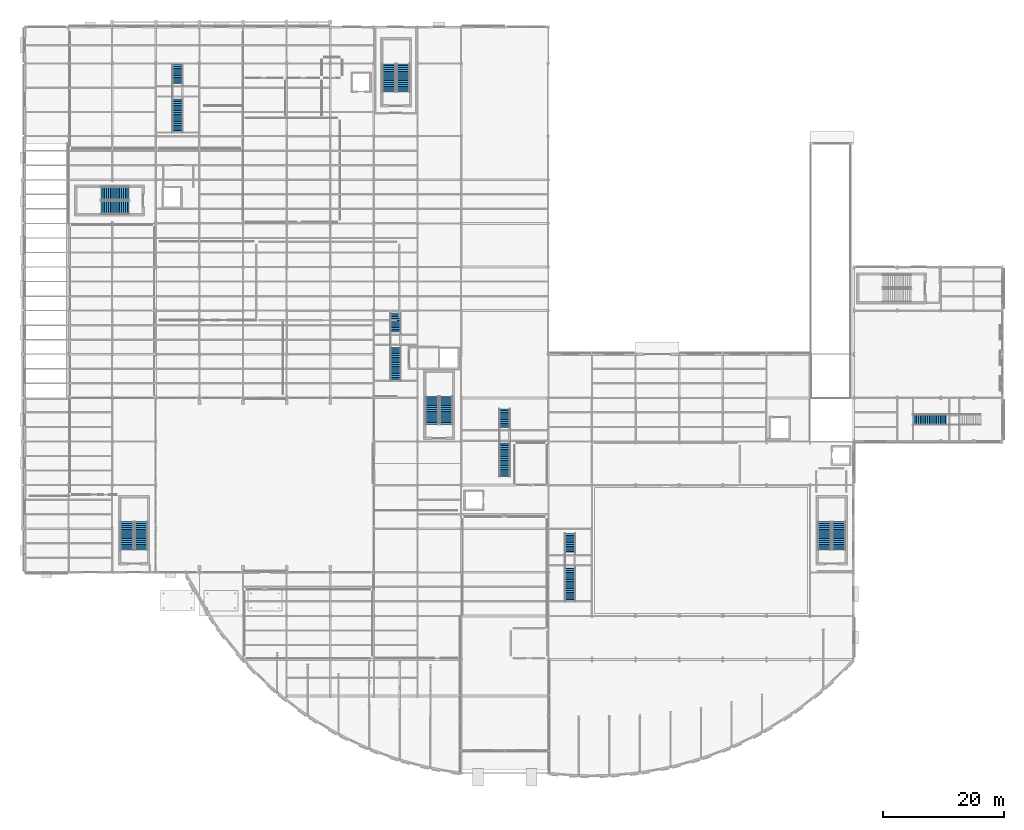
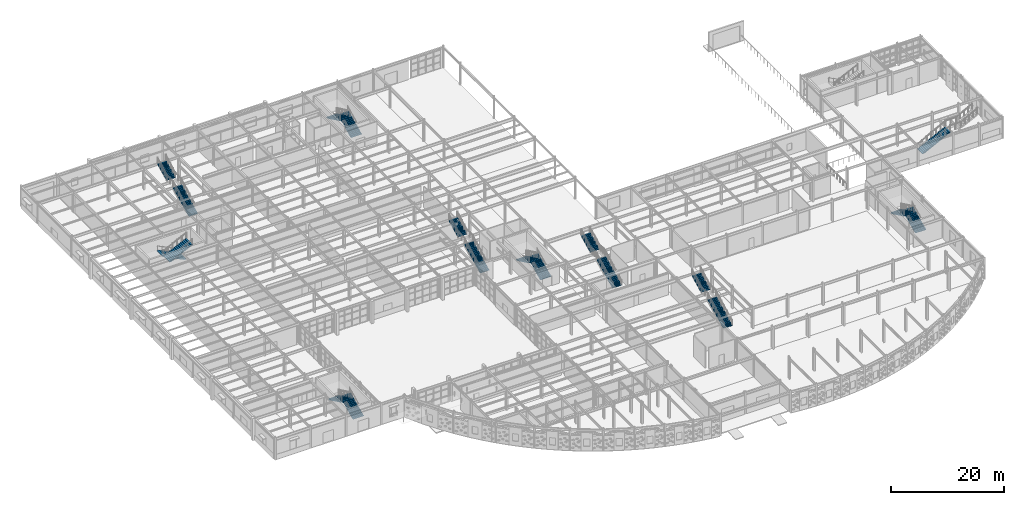
# One storey, part 66 of 83: 19 stair flights, 10 elements without a shape of their own.
"""IFC4 building model written with IfcOpenShell, lengths in metres."""

from ifc_helpers import new_model, si_unit, direction, frame, origin, place, context, subcontext, project, spatial, polyline, outline, extrude, material, type_object, element, aggregate, save


model = new_model("IFC4")

# Units and contexts
model_context = context("Model", 3, precision=1e-05, world=origin(), true_north=direction((0.0, 1.0)))
body_context = subcontext(model_context, "Body", "Model", "MODEL_VIEW")
ifc_project = project(units=[si_unit("LENGTHUNIT", "METRE"), si_unit("AREAUNIT", "SQUARE_METRE"), si_unit("VOLUMEUNIT", "CUBIC_METRE"), si_unit("PLANEANGLEUNIT", "RADIAN"), si_unit("MASSUNIT", "GRAM", prefix="KILO")], contexts=[model_context])

# Site, building, storey
site_placement = place(None, origin())
site = spatial("IfcSite", under=ifc_project, at=site_placement, CompositionType="ELEMENT")
building_placement = place(site_placement, origin())
building = spatial("IfcBuilding", under=site, at=building_placement, Name="Solvadek Multi-Sports Hall", CompositionType="ELEMENT")
storey_placement = place(building_placement, origin())
storey = spatial("IfcBuildingStorey", under=building, at=storey_placement, Name="L00", CompositionType="ELEMENT", Elevation=0.0)

# Stair, stair flights
ifc_material_1 = material(Name="Concrete M35", Category="concrete")
stair_type_1 = type_object("IfcStairType", Name="INT-STR-DOG220", PredefinedType="USERDEFINED", material=ifc_material_1)
stair_1_placement = place(storey_placement, origin())
stair_1 = element("IfcStair", 1, at=stair_1_placement, inside=storey, type_object=stair_type_1, Name="L00 Exit Stair Core ST-01 (SW Crescent)", ObjectType="TWO_RUN_STAIR", PredefinedType="USERDEFINED")
stair_flight_type_1 = type_object("IfcStairFlightType", Name="INT-FLT-RC220", PredefinedType="STRAIGHT", material=ifc_material_1)
stair_flight_1_placement = place(storey_placement, frame((19.199951171875, 24.10009765625, 0.0), z_axis=(0.0, 0.0, 1.0), x_axis=(0.0, 1.0, 0.0)))
stair_flight_1 = element("IfcStairFlight", 2, at=stair_flight_1_placement, type_object=stair_flight_type_1, Name="ST-01 flight 1", NumberOfRisers=16, NumberOfTreads=15, PredefinedType="STRAIGHT", RiserHeight=0.15, TreadLength=0.31, context=body_context, shape_type="SweptSolid", body=[
    extrude(outline(polyline([(0.0, 0.0), (0.0, 0.14990234375), (0.31005859375, 0.14990234375), (0.31005859375, 0.300048828125), (0.6201171875, 0.300048828125), (0.6201171875, 0.449951171875), (0.929931640625, 0.449951171875), (0.929931640625, 0.60009765625), (1.239990234375, 0.60009765625), (1.239990234375, 0.75), (1.550048828125, 0.75), (1.550048828125, 0.89990234375), (1.860107421875, 0.89990234375), (1.860107421875, 1.050048828125), (2.169921875, 1.050048828125), (2.169921875, 1.199951171875), (2.47998046875, 1.199951171875), (2.47998046875, 1.35009765625), (2.7900390625, 1.35009765625), (2.7900390625, 1.5), (3.10009765625, 1.5), (3.10009765625, 1.64990234375), (3.409912109375, 1.64990234375), (3.409912109375, 1.800048828125), (3.719970703125, 1.800048828125), (3.719970703125, 1.949951171875), (4.030029296875, 1.949951171875), (4.030029296875, 2.10009765625), (4.340087890625, 2.10009765625), (4.340087890625, 2.25), (4.64990234375, 2.25), (4.64990234375, 2.39990234375), (4.64990234375, 2.08349609375), (0.34423828125, 0.0), (0.0, 0.0)])), frame((0.0, 1.10009765625, 0.0), z_axis=(0.0, -1.0, 0.0), x_axis=(1.0, 0.0, 0.0)), (0.0, 0.0, 1.0), 2.199951171875),
])
stair_flight_2_placement = place(storey_placement, frame((16.85009765625, 28.75, 2.39990234375), z_axis=(0.0, 0.0, 1.0), x_axis=(0.0, -1.0, 0.0)))
stair_flight_2 = element("IfcStairFlight", 3, at=stair_flight_2_placement, type_object=stair_flight_type_1, Name="ST-01 flight 2", NumberOfRisers=16, NumberOfTreads=15, PredefinedType="STRAIGHT", RiserHeight=0.15, TreadLength=0.31, context=body_context, shape_type="SweptSolid", body=[
    extrude(outline(polyline([(0.0, 0.0), (0.0, 0.14990234375), (0.31005859375, 0.14990234375), (0.31005859375, 0.300048828125), (0.6201171875, 0.300048828125), (0.6201171875, 0.449951171875), (0.929931640625, 0.449951171875), (0.929931640625, 0.60009765625), (1.239990234375, 0.60009765625), (1.239990234375, 0.75), (1.550048828125, 0.75), (1.550048828125, 0.89990234375), (1.860107421875, 0.89990234375), (1.860107421875, 1.050048828125), (2.169921875, 1.050048828125), (2.169921875, 1.199951171875), (2.47998046875, 1.199951171875), (2.47998046875, 1.35009765625), (2.7900390625, 1.35009765625), (2.7900390625, 1.5), (3.10009765625, 1.5), (3.10009765625, 1.64990234375), (3.409912109375, 1.64990234375), (3.409912109375, 1.800048828125), (3.719970703125, 1.800048828125), (3.719970703125, 1.949951171875), (4.030029296875, 1.949951171875), (4.030029296875, 2.10009765625), (4.340087890625, 2.10009765625), (4.340087890625, 2.25), (4.64990234375, 2.25), (4.64990234375, 2.39990234375), (4.64990234375, 2.08349609375), (0.34423828125, 0.0), (0.0, 0.0)])), frame((0.0, 1.10009765625, 0.0), z_axis=(0.0, -1.0, 0.0), x_axis=(1.0, 0.0, 0.0)), (0.0, 0.0, 1.0), 2.199951171875),
])
aggregate(stair_1, [stair_flight_1, stair_flight_2])

stair_2_placement = place(storey_placement, origin())
stair_2 = element("IfcStair", 4, at=stair_2_placement, inside=storey, type_object=stair_type_1, Name="L00 Exit Stair Core ST-02 (NW Track Headhouse)", ObjectType="TWO_RUN_STAIR", PredefinedType="USERDEFINED")
stair_flight_3_placement = place(storey_placement, frame((17.199951171875, 82.949951171875, 0.0), z_axis=(0.0, 0.0, 1.0), x_axis=(-1.0, 0.0, 0.0)))
stair_flight_3 = element("IfcStairFlight", 5, at=stair_flight_3_placement, type_object=stair_flight_type_1, Name="ST-02 flight 1", NumberOfRisers=16, NumberOfTreads=15, PredefinedType="STRAIGHT", RiserHeight=0.15, TreadLength=0.31, context=body_context, shape_type="SweptSolid", body=[
    extrude(outline(polyline([(0.0, 0.0), (0.0, 0.14990234375), (0.31005859375, 0.14990234375), (0.31005859375, 0.300048828125), (0.6201171875, 0.300048828125), (0.6201171875, 0.449951171875), (0.929931640625, 0.449951171875), (0.929931640625, 0.60009765625), (1.239990234375, 0.60009765625), (1.239990234375, 0.75), (1.550048828125, 0.75), (1.550048828125, 0.89990234375), (1.860107421875, 0.89990234375), (1.860107421875, 1.050048828125), (2.169921875, 1.050048828125), (2.169921875, 1.199951171875), (2.47998046875, 1.199951171875), (2.47998046875, 1.35009765625), (2.7900390625, 1.35009765625), (2.7900390625, 1.5), (3.10009765625, 1.5), (3.10009765625, 1.64990234375), (3.409912109375, 1.64990234375), (3.409912109375, 1.800048828125), (3.719970703125, 1.800048828125), (3.719970703125, 1.949951171875), (4.030029296875, 1.949951171875), (4.030029296875, 2.10009765625), (4.340087890625, 2.10009765625), (4.340087890625, 2.25), (4.64990234375, 2.25), (4.64990234375, 2.39990234375), (4.64990234375, 2.08349609375), (0.34423828125, 0.0), (0.0, 0.0)])), frame((0.0, 1.10009765625, 0.0), z_axis=(0.0, -1.0, 0.0), x_axis=(1.0, 0.0, 0.0)), (0.0, 0.0, 1.0), 2.199951171875),
])
stair_flight_4_placement = place(storey_placement, frame((12.550048828125, 80.60009765625, 2.39990234375), z_axis=(0.0, 0.0, 1.0), x_axis=(1.0, 0.0, 0.0)))
stair_flight_4 = element("IfcStairFlight", 6, at=stair_flight_4_placement, type_object=stair_flight_type_1, Name="ST-02 flight 2", NumberOfRisers=16, NumberOfTreads=15, PredefinedType="STRAIGHT", RiserHeight=0.15, TreadLength=0.31, context=body_context, shape_type="SweptSolid", body=[
    extrude(outline(polyline([(0.0, 0.0), (0.0, 0.14990234375), (0.31005859375, 0.14990234375), (0.31005859375, 0.300048828125), (0.6201171875, 0.300048828125), (0.6201171875, 0.449951171875), (0.929931640625, 0.449951171875), (0.929931640625, 0.60009765625), (1.239990234375, 0.60009765625), (1.239990234375, 0.75), (1.550048828125, 0.75), (1.550048828125, 0.89990234375), (1.860107421875, 0.89990234375), (1.860107421875, 1.050048828125), (2.169921875, 1.050048828125), (2.169921875, 1.199951171875), (2.47998046875, 1.199951171875), (2.47998046875, 1.35009765625), (2.7900390625, 1.35009765625), (2.7900390625, 1.5), (3.10009765625, 1.5), (3.10009765625, 1.64990234375), (3.409912109375, 1.64990234375), (3.409912109375, 1.800048828125), (3.719970703125, 1.800048828125), (3.719970703125, 1.949951171875), (4.030029296875, 1.949951171875), (4.030029296875, 2.10009765625), (4.340087890625, 2.10009765625), (4.340087890625, 2.25), (4.64990234375, 2.25), (4.64990234375, 2.39990234375), (4.64990234375, 2.08349609375), (0.34423828125, 0.0), (0.0, 0.0)])), frame((0.0, 1.10009765625, 0.0), z_axis=(0.0, -1.0, 0.0), x_axis=(1.0, 0.0, 0.0)), (0.0, 0.0, 1.0), 2.199951171875),
])
aggregate(stair_2, [stair_flight_3, stair_flight_4])

stair_3_placement = place(storey_placement, origin())
stair_3 = element("IfcStair", 7, at=stair_3_placement, inside=storey, type_object=stair_type_1, Name="L00 Exit Stair Core ST-03 (North Avenue Podium)", ObjectType="TWO_RUN_STAIR", PredefinedType="USERDEFINED")
stair_flight_5_placement = place(storey_placement, frame((62.449951171875, 99.699951171875, 0.0), z_axis=(0.0, 0.0, 1.0), x_axis=(0.0, 1.0, 0.0)))
stair_flight_5 = element("IfcStairFlight", 8, at=stair_flight_5_placement, type_object=stair_flight_type_1, Name="ST-03 flight 1", NumberOfRisers=16, NumberOfTreads=15, PredefinedType="STRAIGHT", RiserHeight=0.15, TreadLength=0.31, context=body_context, shape_type="SweptSolid", body=[
    extrude(outline(polyline([(0.0, 0.0), (0.0, 0.14990234375), (0.31005859375, 0.14990234375), (0.31005859375, 0.300048828125), (0.6201171875, 0.300048828125), (0.6201171875, 0.449951171875), (0.929931640625, 0.449951171875), (0.929931640625, 0.60009765625), (1.239990234375, 0.60009765625), (1.239990234375, 0.75), (1.550048828125, 0.75), (1.550048828125, 0.89990234375), (1.860107421875, 0.89990234375), (1.860107421875, 1.050048828125), (2.169921875, 1.050048828125), (2.169921875, 1.199951171875), (2.47998046875, 1.199951171875), (2.47998046875, 1.35009765625), (2.7900390625, 1.35009765625), (2.7900390625, 1.5), (3.10009765625, 1.5), (3.10009765625, 1.64990234375), (3.409912109375, 1.64990234375), (3.409912109375, 1.800048828125), (3.719970703125, 1.800048828125), (3.719970703125, 1.949951171875), (4.030029296875, 1.949951171875), (4.030029296875, 2.10009765625), (4.340087890625, 2.10009765625), (4.340087890625, 2.25), (4.64990234375, 2.25), (4.64990234375, 2.39990234375), (4.64990234375, 2.08349609375), (0.34423828125, 0.0), (0.0, 0.0)])), frame((0.0, 1.10009765625, 0.0), z_axis=(0.0, -1.0, 0.0), x_axis=(1.0, 0.0, 0.0)), (0.0, 0.0, 1.0), 2.199951171875),
])
stair_flight_6_placement = place(storey_placement, frame((60.10009765625, 104.35009765625, 2.39990234375), z_axis=(0.0, 0.0, 1.0), x_axis=(0.0, -1.0, 0.0)))
stair_flight_6 = element("IfcStairFlight", 9, at=stair_flight_6_placement, type_object=stair_flight_type_1, Name="ST-03 flight 2", NumberOfRisers=16, NumberOfTreads=15, PredefinedType="STRAIGHT", RiserHeight=0.15, TreadLength=0.31, context=body_context, shape_type="SweptSolid", body=[
    extrude(outline(polyline([(0.0, 0.0), (0.0, 0.14990234375), (0.31005859375, 0.14990234375), (0.31005859375, 0.300048828125), (0.6201171875, 0.300048828125), (0.6201171875, 0.449951171875), (0.929931640625, 0.449951171875), (0.929931640625, 0.60009765625), (1.239990234375, 0.60009765625), (1.239990234375, 0.75), (1.550048828125, 0.75), (1.550048828125, 0.89990234375), (1.860107421875, 0.89990234375), (1.860107421875, 1.050048828125), (2.169921875, 1.050048828125), (2.169921875, 1.199951171875), (2.47998046875, 1.199951171875), (2.47998046875, 1.35009765625), (2.7900390625, 1.35009765625), (2.7900390625, 1.5), (3.10009765625, 1.5), (3.10009765625, 1.64990234375), (3.409912109375, 1.64990234375), (3.409912109375, 1.800048828125), (3.719970703125, 1.800048828125), (3.719970703125, 1.949951171875), (4.030029296875, 1.949951171875), (4.030029296875, 2.10009765625), (4.340087890625, 2.10009765625), (4.340087890625, 2.25), (4.64990234375, 2.25), (4.64990234375, 2.39990234375), (4.64990234375, 2.08349609375), (0.34423828125, 0.0), (0.0, 0.0)])), frame((0.0, 1.10009765625, 0.0), z_axis=(0.0, -1.0, 0.0), x_axis=(1.0, 0.0, 0.0)), (0.0, 0.0, 1.0), 2.199951171875),
])
aggregate(stair_3, [stair_flight_5, stair_flight_6])

stair_4_placement = place(storey_placement, origin())
stair_4 = element("IfcStair", 10, at=stair_4_placement, inside=storey, type_object=stair_type_1, Name="L00 Exit Stair Core ST-04 (Central Passage West)", ObjectType="TWO_RUN_STAIR", PredefinedType="USERDEFINED")
stair_flight_7_placement = place(storey_placement, frame((69.550048828125, 44.800048828125, 0.0), z_axis=(0.0, 0.0, 1.0), x_axis=(0.0, 1.0, 0.0)))
stair_flight_7 = element("IfcStairFlight", 11, at=stair_flight_7_placement, type_object=stair_flight_type_1, Name="ST-04 flight 1", NumberOfRisers=16, NumberOfTreads=15, PredefinedType="STRAIGHT", RiserHeight=0.15, TreadLength=0.31, context=body_context, shape_type="SweptSolid", body=[
    extrude(outline(polyline([(0.0, 0.0), (0.0, 0.14990234375), (0.31005859375, 0.14990234375), (0.31005859375, 0.300048828125), (0.6201171875, 0.300048828125), (0.6201171875, 0.449951171875), (0.929931640625, 0.449951171875), (0.929931640625, 0.60009765625), (1.239990234375, 0.60009765625), (1.239990234375, 0.75), (1.550048828125, 0.75), (1.550048828125, 0.89990234375), (1.860107421875, 0.89990234375), (1.860107421875, 1.050048828125), (2.169921875, 1.050048828125), (2.169921875, 1.199951171875), (2.47998046875, 1.199951171875), (2.47998046875, 1.35009765625), (2.7900390625, 1.35009765625), (2.7900390625, 1.5), (3.10009765625, 1.5), (3.10009765625, 1.64990234375), (3.409912109375, 1.64990234375), (3.409912109375, 1.800048828125), (3.719970703125, 1.800048828125), (3.719970703125, 1.949951171875), (4.030029296875, 1.949951171875), (4.030029296875, 2.10009765625), (4.340087890625, 2.10009765625), (4.340087890625, 2.25), (4.64990234375, 2.25), (4.64990234375, 2.39990234375), (4.64990234375, 2.08349609375), (0.34423828125, 0.0), (0.0, 0.0)])), frame((0.0, 1.10009765625, 0.0), z_axis=(0.0, -1.0, 0.0), x_axis=(1.0, 0.0, 0.0)), (0.0, 0.0, 1.0), 2.199951171875),
])
stair_flight_8_placement = place(storey_placement, frame((67.199951171875, 49.449951171875, 2.39990234375), z_axis=(0.0, 0.0, 1.0), x_axis=(0.0, -1.0, 0.0)))
stair_flight_8 = element("IfcStairFlight", 12, at=stair_flight_8_placement, type_object=stair_flight_type_1, Name="ST-04 flight 2", NumberOfRisers=16, NumberOfTreads=15, PredefinedType="STRAIGHT", RiserHeight=0.15, TreadLength=0.31, context=body_context, shape_type="SweptSolid", body=[
    extrude(outline(polyline([(0.0, 0.0), (0.0, 0.14990234375), (0.31005859375, 0.14990234375), (0.31005859375, 0.300048828125), (0.6201171875, 0.300048828125), (0.6201171875, 0.449951171875), (0.929931640625, 0.449951171875), (0.929931640625, 0.60009765625), (1.239990234375, 0.60009765625), (1.239990234375, 0.75), (1.550048828125, 0.75), (1.550048828125, 0.89990234375), (1.860107421875, 0.89990234375), (1.860107421875, 1.050048828125), (2.169921875, 1.050048828125), (2.169921875, 1.199951171875), (2.47998046875, 1.199951171875), (2.47998046875, 1.35009765625), (2.7900390625, 1.35009765625), (2.7900390625, 1.5), (3.10009765625, 1.5), (3.10009765625, 1.64990234375), (3.409912109375, 1.64990234375), (3.409912109375, 1.800048828125), (3.719970703125, 1.800048828125), (3.719970703125, 1.949951171875), (4.030029296875, 1.949951171875), (4.030029296875, 2.10009765625), (4.340087890625, 2.10009765625), (4.340087890625, 2.25), (4.64990234375, 2.25), (4.64990234375, 2.39990234375), (4.64990234375, 2.08349609375), (0.34423828125, 0.0), (0.0, 0.0)])), frame((0.0, 1.10009765625, 0.0), z_axis=(0.0, -1.0, 0.0), x_axis=(1.0, 0.0, 0.0)), (0.0, 0.0, 1.0), 2.199951171875),
])
aggregate(stair_4, [stair_flight_7, stair_flight_8])

stair_5_placement = place(storey_placement, origin())
stair_5 = element("IfcStair", 13, at=stair_5_placement, inside=storey, type_object=stair_type_1, Name="L00 Exit Stair Core ST-05 (SE Competition Hall)", ObjectType="TWO_RUN_STAIR", PredefinedType="USERDEFINED")
stair_flight_9_placement = place(storey_placement, frame((134.35009765625, 24.10009765625, 0.0), z_axis=(0.0, 0.0, 1.0), x_axis=(0.0, 1.0, 0.0)))
stair_flight_9 = element("IfcStairFlight", 14, at=stair_flight_9_placement, type_object=stair_flight_type_1, Name="ST-05 flight 1", NumberOfRisers=16, NumberOfTreads=15, PredefinedType="STRAIGHT", RiserHeight=0.15, TreadLength=0.31, context=body_context, shape_type="SweptSolid", body=[
    extrude(outline(polyline([(0.0, 0.0), (0.0, 0.14990234375), (0.31005859375, 0.14990234375), (0.31005859375, 0.300048828125), (0.6201171875, 0.300048828125), (0.6201171875, 0.449951171875), (0.929931640625, 0.449951171875), (0.929931640625, 0.60009765625), (1.239990234375, 0.60009765625), (1.239990234375, 0.75), (1.550048828125, 0.75), (1.550048828125, 0.89990234375), (1.860107421875, 0.89990234375), (1.860107421875, 1.050048828125), (2.169921875, 1.050048828125), (2.169921875, 1.199951171875), (2.47998046875, 1.199951171875), (2.47998046875, 1.35009765625), (2.7900390625, 1.35009765625), (2.7900390625, 1.5), (3.10009765625, 1.5), (3.10009765625, 1.64990234375), (3.409912109375, 1.64990234375), (3.409912109375, 1.800048828125), (3.719970703125, 1.800048828125), (3.719970703125, 1.949951171875), (4.030029296875, 1.949951171875), (4.030029296875, 2.10009765625), (4.340087890625, 2.10009765625), (4.340087890625, 2.25), (4.64990234375, 2.25), (4.64990234375, 2.39990234375), (4.64990234375, 2.08349609375), (0.34423828125, 0.0), (0.0, 0.0)])), frame((0.0, 1.10009765625, 0.0), z_axis=(0.0, -1.0, 0.0), x_axis=(1.0, 0.0, 0.0)), (0.0, 0.0, 1.0), 2.199951171875),
])
stair_flight_10_placement = place(storey_placement, frame((132.0, 28.75, 2.39990234375), z_axis=(0.0, 0.0, 1.0), x_axis=(0.0, -1.0, 0.0)))
stair_flight_10 = element("IfcStairFlight", 15, at=stair_flight_10_placement, type_object=stair_flight_type_1, Name="ST-05 flight 2", NumberOfRisers=16, NumberOfTreads=15, PredefinedType="STRAIGHT", RiserHeight=0.15, TreadLength=0.31, context=body_context, shape_type="SweptSolid", body=[
    extrude(outline(polyline([(0.0, 0.0), (0.0, 0.14990234375), (0.31005859375, 0.14990234375), (0.31005859375, 0.300048828125), (0.6201171875, 0.300048828125), (0.6201171875, 0.449951171875), (0.929931640625, 0.449951171875), (0.929931640625, 0.60009765625), (1.239990234375, 0.60009765625), (1.239990234375, 0.75), (1.550048828125, 0.75), (1.550048828125, 0.89990234375), (1.860107421875, 0.89990234375), (1.860107421875, 1.050048828125), (2.169921875, 1.050048828125), (2.169921875, 1.199951171875), (2.47998046875, 1.199951171875), (2.47998046875, 1.35009765625), (2.7900390625, 1.35009765625), (2.7900390625, 1.5), (3.10009765625, 1.5), (3.10009765625, 1.64990234375), (3.409912109375, 1.64990234375), (3.409912109375, 1.800048828125), (3.719970703125, 1.800048828125), (3.719970703125, 1.949951171875), (4.030029296875, 1.949951171875), (4.030029296875, 2.10009765625), (4.340087890625, 2.10009765625), (4.340087890625, 2.25), (4.64990234375, 2.25), (4.64990234375, 2.39990234375), (4.64990234375, 2.08349609375), (0.34423828125, 0.0), (0.0, 0.0)])), frame((0.0, 1.10009765625, 0.0), z_axis=(0.0, -1.0, 0.0), x_axis=(1.0, 0.0, 0.0)), (0.0, 0.0, 1.0), 2.199951171875),
])
aggregate(stair_5, [stair_flight_9, stair_flight_10])

ifc_material_2 = material(Name="Steel E350 (350 MPa)", Category="steel")
stair_type_2 = type_object("IfcStairType", Name="INT-STR-MON260", PredefinedType="STRAIGHT_RUN_STAIR", material=ifc_material_2)
stair_6_placement = place(storey_placement, origin())
stair_6 = element("IfcStair", 16, at=stair_6_placement, inside=storey, type_object=stair_type_2, Name="L00 Monumental and Access Stair ST-07", PredefinedType="STRAIGHT_RUN_STAIR")
stair_flight_type_2 = type_object("IfcStairFlightType", Name="INT-FLT-STL260", PredefinedType="STRAIGHT", material=ifc_material_2)
stair_flight_11_placement = place(storey_placement, frame((79.199951171875, 36.199951171875, 0.0), z_axis=(0.0, 0.0, 1.0), x_axis=(0.0, 1.0, 0.0)))
stair_flight_11 = element("IfcStairFlight", 17, at=stair_flight_11_placement, type_object=stair_flight_type_2, Name="ST-07 flight 1", NumberOfRisers=20, NumberOfTreads=19, PredefinedType="STRAIGHT", RiserHeight=0.15, TreadLength=0.3, context=body_context, shape_type="SweptSolid", body=[
    extrude(outline(polyline([(0.0, 0.0), (0.0, 0.14990234375), (0.300048828125, 0.14990234375), (0.300048828125, 0.300048828125), (0.60009765625, 0.300048828125), (0.60009765625, 0.449951171875), (0.89990234375, 0.449951171875), (0.89990234375, 0.60009765625), (1.199951171875, 0.60009765625), (1.199951171875, 0.75), (1.5, 0.75), (1.5, 0.89990234375), (1.800048828125, 0.89990234375), (1.800048828125, 1.050048828125), (2.10009765625, 1.050048828125), (2.10009765625, 1.199951171875), (2.39990234375, 1.199951171875), (2.39990234375, 1.35009765625), (2.699951171875, 1.35009765625), (2.699951171875, 1.5), (3.0, 1.5), (3.0, 1.64990234375), (3.300048828125, 1.64990234375), (3.300048828125, 1.800048828125), (3.60009765625, 1.800048828125), (3.60009765625, 1.949951171875), (3.89990234375, 1.949951171875), (3.89990234375, 2.10009765625), (4.199951171875, 2.10009765625), (4.199951171875, 2.25), (4.5, 2.25), (4.5, 2.39990234375), (4.800048828125, 2.39990234375), (4.800048828125, 2.550048828125), (5.10009765625, 2.550048828125), (5.10009765625, 2.699951171875), (5.39990234375, 2.699951171875), (5.39990234375, 2.85009765625), (5.699951171875, 2.85009765625), (5.699951171875, 3.0), (5.699951171875, 2.64892578125), (0.40234375, 0.0), (0.0, 0.0)])), frame((0.0, 0.925048828125, 0.0), z_axis=(0.0, -1.0, 0.0), x_axis=(1.0, 0.0, 0.0)), (0.0, 0.0, 1.0), 1.85009765625),
])
stair_flight_12_placement = place(storey_placement, frame((79.199951171875, 44.10009765625, 3.0), z_axis=(0.0, 0.0, 1.0), x_axis=(0.0, 1.0, 0.0)))
stair_flight_12 = element("IfcStairFlight", 18, at=stair_flight_12_placement, type_object=stair_flight_type_2, Name="ST-07 flight 2", NumberOfRisers=12, NumberOfTreads=11, PredefinedType="STRAIGHT", RiserHeight=0.15, TreadLength=0.3, context=body_context, shape_type="SweptSolid", body=[
    extrude(outline(polyline([(0.0, 0.0), (0.0, 0.14990234375), (0.300048828125, 0.14990234375), (0.300048828125, 0.300048828125), (0.60009765625, 0.300048828125), (0.60009765625, 0.449951171875), (0.89990234375, 0.449951171875), (0.89990234375, 0.60009765625), (1.199951171875, 0.60009765625), (1.199951171875, 0.75), (1.5, 0.75), (1.5, 0.89990234375), (1.800048828125, 0.89990234375), (1.800048828125, 1.050048828125), (2.10009765625, 1.050048828125), (2.10009765625, 1.199951171875), (2.39990234375, 1.199951171875), (2.39990234375, 1.35009765625), (2.699951171875, 1.35009765625), (2.699951171875, 1.5), (3.0, 1.5), (3.0, 1.64990234375), (3.300048828125, 1.64990234375), (3.300048828125, 1.800048828125), (3.300048828125, 1.44873046875), (0.40234375, 0.0), (0.0, 0.0)])), frame((0.0, 0.925048828125, 0.0), z_axis=(0.0, -1.0, 0.0), x_axis=(1.0, 0.0, 0.0)), (0.0, 0.0, 1.0), 1.85009765625),
])
aggregate(stair_6, [stair_flight_11, stair_flight_12])

stair_type_3 = type_object("IfcStairType", Name="INT-STR-VOM180", PredefinedType="STRAIGHT_RUN_STAIR", material=ifc_material_1)
stair_7_placement = place(storey_placement, origin())
stair_7 = element("IfcStair", 19, at=stair_7_placement, inside=storey, type_object=stair_type_3, Name="L00 Monumental and Access Stair ST-09", PredefinedType="STRAIGHT_RUN_STAIR")
stair_flight_type_3 = type_object("IfcStairFlightType", Name="INT-FLT-VOM180", PredefinedType="STRAIGHT", material=ifc_material_1)
stair_flight_13_placement = place(storey_placement, frame((90.0, 15.60009765625, 0.0), z_axis=(0.0, 0.0, 1.0), x_axis=(0.0, 1.0, 0.0)))
stair_flight_13 = element("IfcStairFlight", 20, at=stair_flight_13_placement, type_object=stair_flight_type_3, Name="ST-09 flight 1", NumberOfRisers=20, NumberOfTreads=19, PredefinedType="STRAIGHT", RiserHeight=0.15, TreadLength=0.3, context=body_context, shape_type="SweptSolid", body=[
    extrude(outline(polyline([(0.0, 0.0), (0.0, 0.14990234375), (0.300048828125, 0.14990234375), (0.300048828125, 0.300048828125), (0.60009765625, 0.300048828125), (0.60009765625, 0.449951171875), (0.89990234375, 0.449951171875), (0.89990234375, 0.60009765625), (1.199951171875, 0.60009765625), (1.199951171875, 0.75), (1.5, 0.75), (1.5, 0.89990234375), (1.800048828125, 0.89990234375), (1.800048828125, 1.050048828125), (2.10009765625, 1.050048828125), (2.10009765625, 1.199951171875), (2.39990234375, 1.199951171875), (2.39990234375, 1.35009765625), (2.699951171875, 1.35009765625), (2.699951171875, 1.5), (3.0, 1.5), (3.0, 1.64990234375), (3.300048828125, 1.64990234375), (3.300048828125, 1.800048828125), (3.60009765625, 1.800048828125), (3.60009765625, 1.949951171875), (3.89990234375, 1.949951171875), (3.89990234375, 2.10009765625), (4.199951171875, 2.10009765625), (4.199951171875, 2.25), (4.5, 2.25), (4.5, 2.39990234375), (4.800048828125, 2.39990234375), (4.800048828125, 2.550048828125), (5.10009765625, 2.550048828125), (5.10009765625, 2.699951171875), (5.39990234375, 2.699951171875), (5.39990234375, 2.85009765625), (5.699951171875, 2.85009765625), (5.699951171875, 3.0), (5.699951171875, 2.64892578125), (0.40234375, 0.0), (0.0, 0.0)])), frame((0.0, 0.89990234375, 0.0), z_axis=(0.0, -1.0, 0.0), x_axis=(1.0, 0.0, 0.0)), (0.0, 0.0, 1.0), 1.800048828125),
])
stair_flight_14_placement = place(storey_placement, frame((90.0, 23.5, 3.0), z_axis=(0.0, 0.0, 1.0), x_axis=(0.0, 1.0, 0.0)))
stair_flight_14 = element("IfcStairFlight", 21, at=stair_flight_14_placement, type_object=stair_flight_type_3, Name="ST-09 flight 2", NumberOfRisers=12, NumberOfTreads=11, PredefinedType="STRAIGHT", RiserHeight=0.15, TreadLength=0.3, context=body_context, shape_type="SweptSolid", body=[
    extrude(outline(polyline([(0.0, 0.0), (0.0, 0.14990234375), (0.300048828125, 0.14990234375), (0.300048828125, 0.300048828125), (0.60009765625, 0.300048828125), (0.60009765625, 0.449951171875), (0.89990234375, 0.449951171875), (0.89990234375, 0.60009765625), (1.199951171875, 0.60009765625), (1.199951171875, 0.75), (1.5, 0.75), (1.5, 0.89990234375), (1.800048828125, 0.89990234375), (1.800048828125, 1.050048828125), (2.10009765625, 1.050048828125), (2.10009765625, 1.199951171875), (2.39990234375, 1.199951171875), (2.39990234375, 1.35009765625), (2.699951171875, 1.35009765625), (2.699951171875, 1.5), (3.0, 1.5), (3.0, 1.64990234375), (3.300048828125, 1.64990234375), (3.300048828125, 1.800048828125), (3.300048828125, 1.44873046875), (0.40234375, 0.0), (0.0, 0.0)])), frame((0.0, 0.89990234375, 0.0), z_axis=(0.0, -1.0, 0.0), x_axis=(1.0, 0.0, 0.0)), (0.0, 0.0, 1.0), 1.800048828125),
])
aggregate(stair_7, [stair_flight_13, stair_flight_14])

stair_8_placement = place(storey_placement, origin())
stair_8 = element("IfcStair", 22, at=stair_8_placement, inside=storey, type_object=stair_type_3, Name="L00 Monumental and Access Stair ST-10", PredefinedType="STRAIGHT_RUN_STAIR")
stair_flight_15_placement = place(storey_placement, frame((61.199951171875, 52.0, 0.0), z_axis=(0.0, 0.0, 1.0), x_axis=(0.0, 1.0, 0.0)))
stair_flight_15 = element("IfcStairFlight", 23, at=stair_flight_15_placement, type_object=stair_flight_type_3, Name="ST-10 flight 1", NumberOfRisers=20, NumberOfTreads=19, PredefinedType="STRAIGHT", RiserHeight=0.15, TreadLength=0.3, context=body_context, shape_type="SweptSolid", body=[
    extrude(outline(polyline([(0.0, 0.0), (0.0, 0.14990234375), (0.300048828125, 0.14990234375), (0.300048828125, 0.300048828125), (0.60009765625, 0.300048828125), (0.60009765625, 0.449951171875), (0.89990234375, 0.449951171875), (0.89990234375, 0.60009765625), (1.199951171875, 0.60009765625), (1.199951171875, 0.75), (1.5, 0.75), (1.5, 0.89990234375), (1.800048828125, 0.89990234375), (1.800048828125, 1.050048828125), (2.10009765625, 1.050048828125), (2.10009765625, 1.199951171875), (2.39990234375, 1.199951171875), (2.39990234375, 1.35009765625), (2.699951171875, 1.35009765625), (2.699951171875, 1.5), (3.0, 1.5), (3.0, 1.64990234375), (3.300048828125, 1.64990234375), (3.300048828125, 1.800048828125), (3.60009765625, 1.800048828125), (3.60009765625, 1.949951171875), (3.89990234375, 1.949951171875), (3.89990234375, 2.10009765625), (4.199951171875, 2.10009765625), (4.199951171875, 2.25), (4.5, 2.25), (4.5, 2.39990234375), (4.800048828125, 2.39990234375), (4.800048828125, 2.550048828125), (5.10009765625, 2.550048828125), (5.10009765625, 2.699951171875), (5.39990234375, 2.699951171875), (5.39990234375, 2.85009765625), (5.699951171875, 2.85009765625), (5.699951171875, 3.0), (5.699951171875, 2.64892578125), (0.40234375, 0.0), (0.0, 0.0)])), frame((0.0, 0.89990234375, 0.0), z_axis=(0.0, -1.0, 0.0), x_axis=(1.0, 0.0, 0.0)), (0.0, 0.0, 1.0), 1.800048828125),
])
stair_flight_16_placement = place(storey_placement, frame((61.199951171875, 59.89990234375, 3.0), z_axis=(0.0, 0.0, 1.0), x_axis=(0.0, 1.0, 0.0)))
stair_flight_16 = element("IfcStairFlight", 24, at=stair_flight_16_placement, type_object=stair_flight_type_3, Name="ST-10 flight 2", NumberOfRisers=12, NumberOfTreads=11, PredefinedType="STRAIGHT", RiserHeight=0.15, TreadLength=0.3, context=body_context, shape_type="SweptSolid", body=[
    extrude(outline(polyline([(0.0, 0.0), (0.0, 0.14990234375), (0.300048828125, 0.14990234375), (0.300048828125, 0.300048828125), (0.60009765625, 0.300048828125), (0.60009765625, 0.449951171875), (0.89990234375, 0.449951171875), (0.89990234375, 0.60009765625), (1.199951171875, 0.60009765625), (1.199951171875, 0.75), (1.5, 0.75), (1.5, 0.89990234375), (1.800048828125, 0.89990234375), (1.800048828125, 1.050048828125), (2.10009765625, 1.050048828125), (2.10009765625, 1.199951171875), (2.39990234375, 1.199951171875), (2.39990234375, 1.35009765625), (2.699951171875, 1.35009765625), (2.699951171875, 1.5), (3.0, 1.5), (3.0, 1.64990234375), (3.300048828125, 1.64990234375), (3.300048828125, 1.800048828125), (3.300048828125, 1.44873046875), (0.40234375, 0.0), (0.0, 0.0)])), frame((0.0, 0.89990234375, 0.0), z_axis=(0.0, -1.0, 0.0), x_axis=(1.0, 0.0, 0.0)), (0.0, 0.0, 1.0), 1.800048828125),
])
aggregate(stair_8, [stair_flight_15, stair_flight_16])

# Stair, stair flight
stair_9_placement = place(storey_placement, origin())
stair_9 = element("IfcStair", 25, at=stair_9_placement, inside=storey, type_object=stair_type_3, Name="L00 Monumental and Access Stair ST-11", PredefinedType="STRAIGHT_RUN_STAIR")
stair_flight_17_placement = place(storey_placement, frame((146.60009765625, 45.60009765625, 0.0), z_axis=(0.0, 0.0, 1.0), x_axis=(1.0, 0.0, 0.0)))
stair_flight_17 = element("IfcStairFlight", 26, at=stair_flight_17_placement, type_object=stair_flight_type_3, Name="ST-11 flight 1", NumberOfRisers=20, NumberOfTreads=19, PredefinedType="STRAIGHT", RiserHeight=0.15, TreadLength=0.3, context=body_context, shape_type="SweptSolid", body=[
    extrude(outline(polyline([(0.0, 0.0), (0.0, 0.14990234375), (0.300048828125, 0.14990234375), (0.300048828125, 0.300048828125), (0.60009765625, 0.300048828125), (0.60009765625, 0.449951171875), (0.89990234375, 0.449951171875), (0.89990234375, 0.60009765625), (1.199951171875, 0.60009765625), (1.199951171875, 0.75), (1.5, 0.75), (1.5, 0.89990234375), (1.800048828125, 0.89990234375), (1.800048828125, 1.050048828125), (2.10009765625, 1.050048828125), (2.10009765625, 1.199951171875), (2.39990234375, 1.199951171875), (2.39990234375, 1.35009765625), (2.699951171875, 1.35009765625), (2.699951171875, 1.5), (3.0, 1.5), (3.0, 1.64990234375), (3.300048828125, 1.64990234375), (3.300048828125, 1.800048828125), (3.60009765625, 1.800048828125), (3.60009765625, 1.949951171875), (3.89990234375, 1.949951171875), (3.89990234375, 2.10009765625), (4.199951171875, 2.10009765625), (4.199951171875, 2.25), (4.5, 2.25), (4.5, 2.39990234375), (4.800048828125, 2.39990234375), (4.800048828125, 2.550048828125), (5.10009765625, 2.550048828125), (5.10009765625, 2.699951171875), (5.39990234375, 2.699951171875), (5.39990234375, 2.85009765625), (5.699951171875, 2.85009765625), (5.699951171875, 3.0), (5.699951171875, 2.64892578125), (0.40234375, 0.0), (0.0, 0.0)])), frame((0.0, 0.89990234375, 0.0), z_axis=(0.0, -1.0, 0.0), x_axis=(1.0, 0.0, 0.0)), (0.0, 0.0, 1.0), 1.800048828125),
])
aggregate(stair_9, [stair_flight_17])

# Stair, stair flights
stair_10_placement = place(storey_placement, origin())
stair_10 = element("IfcStair", 27, at=stair_10_placement, inside=storey, type_object=stair_type_3, Name="L00 Monumental and Access Stair ST-12", PredefinedType="STRAIGHT_RUN_STAIR")
stair_flight_18_placement = place(storey_placement, frame((25.199951171875, 93.0, 0.0), z_axis=(0.0, 0.0, 1.0), x_axis=(0.0, 1.0, 0.0)))
stair_flight_18 = element("IfcStairFlight", 28, at=stair_flight_18_placement, type_object=stair_flight_type_3, Name="ST-12 flight 1", NumberOfRisers=20, NumberOfTreads=19, PredefinedType="STRAIGHT", RiserHeight=0.15, TreadLength=0.3, context=body_context, shape_type="SweptSolid", body=[
    extrude(outline(polyline([(0.0, 0.0), (0.0, 0.14990234375), (0.300048828125, 0.14990234375), (0.300048828125, 0.300048828125), (0.60009765625, 0.300048828125), (0.60009765625, 0.449951171875), (0.89990234375, 0.449951171875), (0.89990234375, 0.60009765625), (1.199951171875, 0.60009765625), (1.199951171875, 0.75), (1.5, 0.75), (1.5, 0.89990234375), (1.800048828125, 0.89990234375), (1.800048828125, 1.050048828125), (2.10009765625, 1.050048828125), (2.10009765625, 1.199951171875), (2.39990234375, 1.199951171875), (2.39990234375, 1.35009765625), (2.699951171875, 1.35009765625), (2.699951171875, 1.5), (3.0, 1.5), (3.0, 1.64990234375), (3.300048828125, 1.64990234375), (3.300048828125, 1.800048828125), (3.60009765625, 1.800048828125), (3.60009765625, 1.949951171875), (3.89990234375, 1.949951171875), (3.89990234375, 2.10009765625), (4.199951171875, 2.10009765625), (4.199951171875, 2.25), (4.5, 2.25), (4.5, 2.39990234375), (4.800048828125, 2.39990234375), (4.800048828125, 2.550048828125), (5.10009765625, 2.550048828125), (5.10009765625, 2.699951171875), (5.39990234375, 2.699951171875), (5.39990234375, 2.85009765625), (5.699951171875, 2.85009765625), (5.699951171875, 3.0), (5.699951171875, 2.64892578125), (0.40234375, 0.0), (0.0, 0.0)])), frame((0.0, 0.89990234375, 0.0), z_axis=(0.0, -1.0, 0.0), x_axis=(1.0, 0.0, 0.0)), (0.0, 0.0, 1.0), 1.800048828125),
])
stair_flight_19_placement = place(storey_placement, frame((25.199951171875, 100.89990234375, 3.0), z_axis=(0.0, 0.0, 1.0), x_axis=(0.0, 1.0, 0.0)))
stair_flight_19 = element("IfcStairFlight", 29, at=stair_flight_19_placement, type_object=stair_flight_type_3, Name="ST-12 flight 2", NumberOfRisers=12, NumberOfTreads=11, PredefinedType="STRAIGHT", RiserHeight=0.15, TreadLength=0.3, context=body_context, shape_type="SweptSolid", body=[
    extrude(outline(polyline([(0.0, 0.0), (0.0, 0.14990234375), (0.300048828125, 0.14990234375), (0.300048828125, 0.300048828125), (0.60009765625, 0.300048828125), (0.60009765625, 0.449951171875), (0.89990234375, 0.449951171875), (0.89990234375, 0.60009765625), (1.199951171875, 0.60009765625), (1.199951171875, 0.75), (1.5, 0.75), (1.5, 0.89990234375), (1.800048828125, 0.89990234375), (1.800048828125, 1.050048828125), (2.10009765625, 1.050048828125), (2.10009765625, 1.199951171875), (2.39990234375, 1.199951171875), (2.39990234375, 1.35009765625), (2.699951171875, 1.35009765625), (2.699951171875, 1.5), (3.0, 1.5), (3.0, 1.64990234375), (3.300048828125, 1.64990234375), (3.300048828125, 1.800048828125), (3.300048828125, 1.44873046875), (0.40234375, 0.0), (0.0, 0.0)])), frame((0.0, 0.89990234375, 0.0), z_axis=(0.0, -1.0, 0.0), x_axis=(1.0, 0.0, 0.0)), (0.0, 0.0, 1.0), 1.800048828125),
])
aggregate(stair_10, [stair_flight_18, stair_flight_19])

save(model, "model.ifc")
